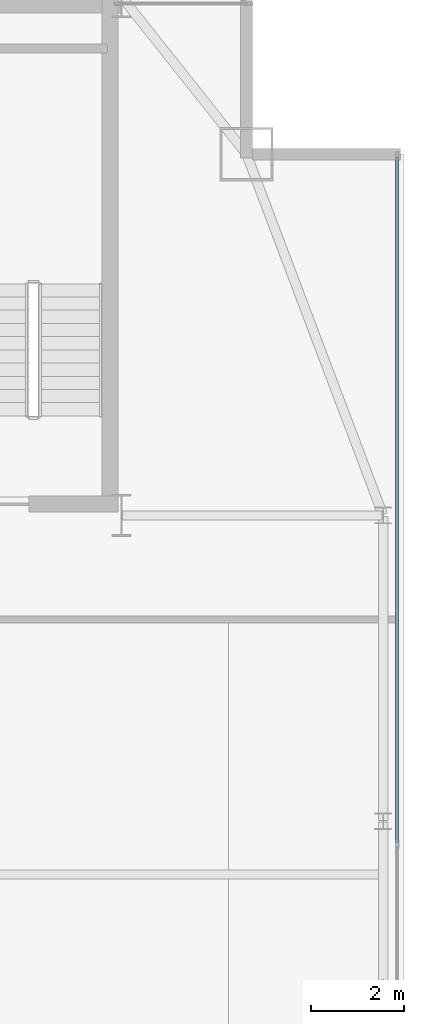
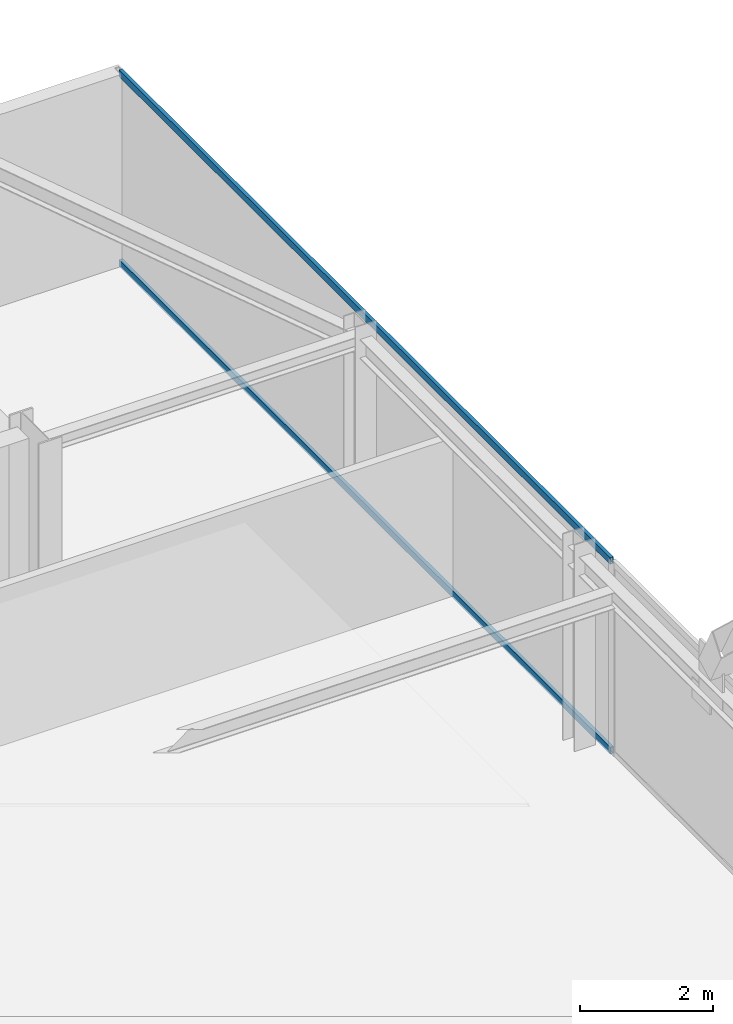
# One storey, part 17 of 27: 2 members, 1 element without a shape of its own.
"""IFC4 building model written with IfcOpenShell, lengths in metres."""

from ifc_helpers import new_model, si_unit, direction, frame, origin, origin_2d, place, context, subcontext, project, spatial, hollow_rectangle, extrude, source, transform, mapped, material, layer, layer_set, material_profile, profile_set, type_object, type_shapes, element, aggregate, save


model = new_model("IFC4")

# Units and contexts
model_context = context("Model", 3, precision=1e-05, world=origin(), true_north=direction((0.0, 1.0)))
body_context = subcontext(model_context, "Body", "Model", "MODEL_VIEW")
ifc_project = project(units=[si_unit("LENGTHUNIT", "METRE"), si_unit("AREAUNIT", "SQUARE_METRE"), si_unit("VOLUMEUNIT", "CUBIC_METRE"), si_unit("PLANEANGLEUNIT", "RADIAN"), si_unit("MASSUNIT", "GRAM", prefix="KILO")], contexts=[model_context])

# Site, building, storey
site_placement = place(None, origin())
site = spatial("IfcSite", under=ifc_project, at=site_placement, CompositionType="ELEMENT")
building_placement = place(site_placement, origin())
building = spatial("IfcBuilding", under=site, at=building_placement, Name="Varnel Quay Broadcast Tower", CompositionType="ELEMENT")
storey_placement = place(building_placement, frame((0.0, 0.0, 243.199951171875)))
storey = spatial("IfcBuildingStorey", under=building, at=storey_placement, Name="L60", CompositionType="ELEMENT", Elevation=243.199951171875)

# Curtain wall, members
ifc_material = material(Name="Anodised Bronze Aluminium 6063-T6", Category="aluminium")
ifc_layer = layer(ifc_material, 0.18994140625, Name="Anodised Bronze Aluminium 6063-T6")
ifc_layer_set = layer_set([ifc_layer], Name="Anodised Bronze Aluminium 6063-T6")
curtain_wall_type = type_object("IfcCurtainWallType", Name="CW_UpperTower", PredefinedType="NOTDEFINED", material=ifc_layer_set)
curtain_wall_placement = place(storey_placement, origin())
curtain_wall = element("IfcCurtainWall", 1, at=curtain_wall_placement, inside=storey, type_object=curtain_wall_type, Name="L60 East Unitised Curtain Wall", PredefinedType="NOTDEFINED")
ifc_material_profile = material_profile(ifc_material, hollow_rectangle(XDim=0.06005859375, YDim=0.125, WallThickness=0.0029296875, at=origin_2d()), Name="ALU60X125X3")
ifc_profile_set = profile_set([ifc_material_profile], Name="Anodised Bronze Aluminium 6063-T6")
member_type = type_object("IfcMemberType", Name="Tran_CWS-03", PredefinedType="USERDEFINED", material=ifc_profile_set)
shared_shape = source(origin(), body_context, "Body", "SweptSolid", [
    extrude(hollow_rectangle(XDim=0.06005859375, YDim=0.125, WallThickness=0.0029296875, at=origin_2d()), origin(), (0.0, 0.0, 1.0), 14.802490234375),
])
type_shapes(member_type, [shared_shape])
member_1_placement = place(storey_placement, frame((58.35009765625, 28.532470703125, 0.030029296875), z_axis=(0.0, 1.0, 0.0), x_axis=(-1.0, 0.0, 0.0)))
member_1 = element("IfcMember", 2, at=member_1_placement, type_object=member_type, Name="CWS-03 transom 2.1", ObjectType="TRANSOM", PredefinedType="USERDEFINED", context=body_context, shape_type="MappedRepresentation", body=[
    mapped(shared_shape, transform((0.0, 0.0, 0.0), x_axis=(1.0, 0.0, 0.0), y_axis=(0.0, 1.0, 0.0), z_axis=(0.0, 0.0, 1.0), scale=1.0)),
])
member_2_placement = place(storey_placement, frame((58.35009765625, 28.532470703125, 3.52001953125), z_axis=(0.0, 1.0, 0.0), x_axis=(-1.0, 0.0, 0.0)))
member_2 = element("IfcMember", 3, at=member_2_placement, type_object=member_type, Name="CWS-03 transom 2.2", ObjectType="TRANSOM", PredefinedType="USERDEFINED", context=body_context, shape_type="MappedRepresentation", body=[
    mapped(shared_shape, transform((0.0, 0.0, 0.0), x_axis=(1.0, 0.0, 0.0), y_axis=(0.0, 1.0, 0.0), z_axis=(0.0, 0.0, 1.0), scale=1.0)),
])
aggregate(curtain_wall, [member_1, member_2])

save(model, "model.ifc")
